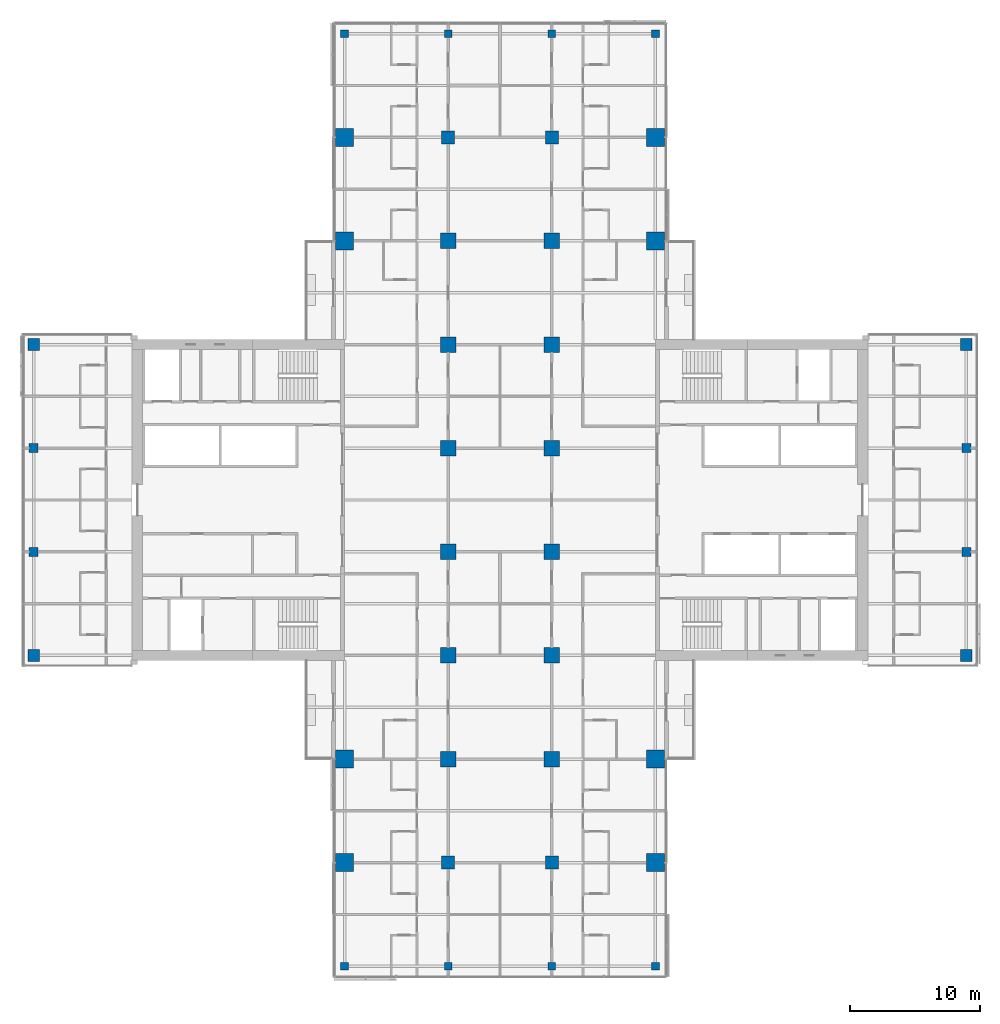
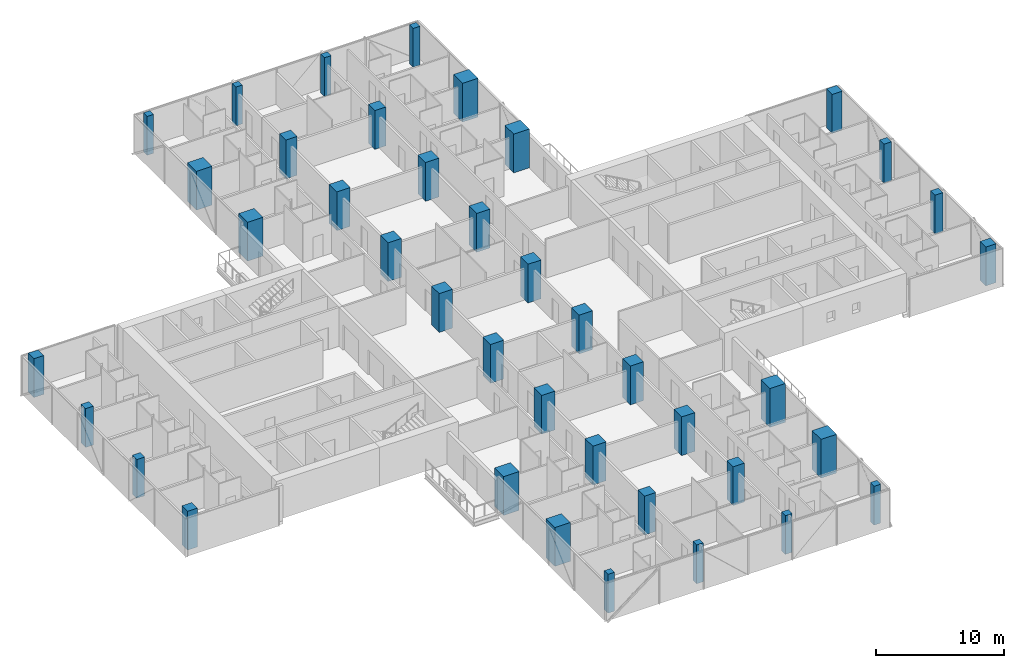
# One storey, part 1 of 29: 40 columns.
"""IFC4 building model written with IfcOpenShell, lengths in metres."""

from ifc_helpers import new_model, si_unit, direction, frame, origin, origin_2d, place, context, subcontext, project, spatial, rectangle, extrude, material, material_profile, profile_set, type_object, element, save


model = new_model("IFC4")

# Units and contexts
model_context = context("Model", 3, precision=1e-05, world=origin(), true_north=direction((0.0, 1.0)))
body_context = subcontext(model_context, "Body", "Model", "MODEL_VIEW")
ifc_project = project(units=[si_unit("LENGTHUNIT", "METRE"), si_unit("AREAUNIT", "SQUARE_METRE"), si_unit("VOLUMEUNIT", "CUBIC_METRE"), si_unit("PLANEANGLEUNIT", "RADIAN"), si_unit("MASSUNIT", "GRAM", prefix="KILO")], contexts=[model_context])

# Site, building, storey
site_placement = place(None, origin())
site = spatial("IfcSite", under=ifc_project, at=site_placement, CompositionType="ELEMENT")
building_placement = place(site_placement, origin())
building = spatial("IfcBuilding", under=site, at=building_placement, Name="Crosswind Convention Tower", CompositionType="ELEMENT")
storey_placement = place(building_placement, frame((0.0, 0.0, 60.89990234375)))
storey = spatial("IfcBuildingStorey", under=building, at=storey_placement, Name="L09", CompositionType="ELEMENT", Elevation=60.89990234375)

# Columns
ifc_material_1 = material(Name="Concrete C70/85", Category="concrete")
ifc_material_profile_1 = material_profile(ifc_material_1, rectangle(XDim=1.0, YDim=1.0, at=origin_2d()), Name="RC 1000X1000")
ifc_profile_set_1 = profile_set([ifc_material_profile_1], Name="Concrete C70/85")
column_type_1 = type_object("IfcColumnType", Name="Column RC 1000X1000", PredefinedType="COLUMN", material=ifc_profile_set_1)
for number, where, z_axis, x_axis, name in (
    (1, (121.0, 72.0, 0.0), (0.0, 0.0, 1.0), (1.0, 0.0, 0.0), "C12 L09 6/C"),
    (2, (121.0, 128.0, 0.0), (0.0, 0.0, 1.0), (1.0, 0.0, 0.0), "C12 L09 6/J"),
    (3, (129.0, 72.0, 0.0), (0.0, 0.0, 1.0), (1.0, 0.0, 0.0), "C12 L09 7/C"),
    (4, (129.0, 128.0, 0.0), (0.0, 0.0, 1.0), (1.0, 0.0, 0.0), "C12 L09 7/J"),
):
    element("IfcColumn", number, at=place(storey_placement, frame(where, z_axis=z_axis, x_axis=x_axis)), inside=storey, type_object=column_type_1, Name=name, PredefinedType="COLUMN", context=body_context, shape_type="SweptSolid", body=[
        extrude(rectangle(XDim=1.0, YDim=1.0, at=origin_2d()), origin(), (0.0, 0.0, 1.0), 3.7001953125),
    ])
ifc_material_profile_2 = material_profile(ifc_material_1, rectangle(XDim=1.199951171875, YDim=1.199951171875, at=origin_2d()), Name="RC 1200X1200")
ifc_profile_set_2 = profile_set([ifc_material_profile_2], Name="Concrete C70/85")
column_type_2 = type_object("IfcColumnType", Name="Column RC 1200X1200", PredefinedType="COLUMN", material=ifc_profile_set_2)
for number, where, z_axis, x_axis, name in (
    (5, (121.0, 80.0, 0.0), (0.0, 0.0, 1.0), (1.0, 0.0, 0.0), "C11 L09 6/D"),
    (6, (121.0, 88.0, 0.0), (0.0, 0.0, 1.0), (1.0, 0.0, 0.0), "C11 L09 6/E"),
    (7, (121.0, 96.0, 0.0), (0.0, 0.0, 1.0), (1.0, 0.0, 0.0), "C11 L09 6/F"),
    (8, (121.0, 104.0, 0.0), (0.0, 0.0, 1.0), (1.0, 0.0, 0.0), "C11 L09 6/G"),
    (9, (121.0, 112.0, 0.0), (0.0, 0.0, 1.0), (1.0, 0.0, 0.0), "C11 L09 6/H"),
    (10, (121.0, 120.0, 0.0), (0.0, 0.0, 1.0), (1.0, 0.0, 0.0), "C11 L09 6/I"),
    (11, (129.0, 80.0, 0.0), (0.0, 0.0, 1.0), (1.0, 0.0, 0.0), "C11 L09 7/D"),
    (12, (129.0, 88.0, 0.0), (0.0, 0.0, 1.0), (1.0, 0.0, 0.0), "C11 L09 7/E"),
    (13, (129.0, 96.0, 0.0), (0.0, 0.0, 1.0), (1.0, 0.0, 0.0), "C11 L09 7/F"),
    (14, (129.0, 104.0, 0.0), (0.0, 0.0, 1.0), (1.0, 0.0, 0.0), "C11 L09 7/G"),
    (15, (129.0, 112.0, 0.0), (0.0, 0.0, 1.0), (1.0, 0.0, 0.0), "C11 L09 7/H"),
    (16, (129.0, 120.0, 0.0), (0.0, 0.0, 1.0), (1.0, 0.0, 0.0), "C11 L09 7/I"),
):
    element("IfcColumn", number, at=place(storey_placement, frame(where, z_axis=z_axis, x_axis=x_axis)), inside=storey, type_object=column_type_2, Name=name, PredefinedType="COLUMN", context=body_context, shape_type="SweptSolid", body=[
        extrude(rectangle(XDim=1.199951171875, YDim=1.199951171875, at=origin_2d()), origin(), (0.0, 0.0, 1.0), 3.7001953125),
    ])
ifc_material_2 = material(Name="Concrete C80/95", Category="concrete")
ifc_material_profile_3 = material_profile(ifc_material_2, rectangle(XDim=1.39990234375, YDim=1.39990234375, at=origin_2d()), Name="RC 1400X1400")
ifc_profile_set_3 = profile_set([ifc_material_profile_3], Name="Concrete C80/95")
column_type_3 = type_object("IfcColumnType", Name="Column RC 1400X1400", PredefinedType="COLUMN", material=ifc_profile_set_3)
for number, where, z_axis, x_axis, name in (
    (17, (113.0, 72.0, 0.0), (0.0, 0.0, 1.0), (1.0, 0.0, 0.0), "C10 L09 5/C"),
    (18, (113.0, 80.0, 0.0), (0.0, 0.0, 1.0), (1.0, 0.0, 0.0), "C10 L09 5/D"),
    (19, (113.0, 120.0, 0.0), (0.0, 0.0, 1.0), (1.0, 0.0, 0.0), "C10 L09 5/I"),
    (20, (113.0, 128.0, 0.0), (0.0, 0.0, 1.0), (1.0, 0.0, 0.0), "C10 L09 5/J"),
    (21, (137.0, 72.0, 0.0), (0.0, 0.0, 1.0), (1.0, 0.0, 0.0), "C10 L09 8/C"),
    (22, (137.0, 80.0, 0.0), (0.0, 0.0, 1.0), (1.0, 0.0, 0.0), "C10 L09 8/D"),
    (23, (137.0, 120.0, 0.0), (0.0, 0.0, 1.0), (1.0, 0.0, 0.0), "C10 L09 8/I"),
    (24, (137.0, 128.0, 0.0), (0.0, 0.0, 1.0), (1.0, 0.0, 0.0), "C10 L09 8/J"),
):
    element("IfcColumn", number, at=place(storey_placement, frame(where, z_axis=z_axis, x_axis=x_axis)), inside=storey, type_object=column_type_3, Name=name, PredefinedType="COLUMN", context=body_context, shape_type="SweptSolid", body=[
        extrude(rectangle(XDim=1.39990234375, YDim=1.39990234375, at=origin_2d()), origin(), (0.0, 0.0, 1.0), 3.7001953125),
    ])
ifc_material_3 = material(Name="Concrete C60/75", Category="concrete")
ifc_material_profile_4 = material_profile(ifc_material_3, rectangle(XDim=0.60009765625, YDim=0.60009765625, at=origin_2d()), Name="RC 600X600")
ifc_profile_set_4 = profile_set([ifc_material_profile_4], Name="Concrete C60/75")
column_type_4 = type_object("IfcColumnType", Name="Column RC 600X600", PredefinedType="COLUMN", material=ifc_profile_set_4)
for number, where, z_axis, x_axis, name in (
    (25, (113.0, 64.0, 0.0), (0.0, 0.0, 1.0), (1.0, 0.0, 0.0), "C16 L09 5/B"),
    (26, (113.0, 136.0, 0.0), (0.0, 0.0, 1.0), (1.0, 0.0, 0.0), "C16 L09 5/K"),
    (27, (121.0, 64.0, 0.0), (0.0, 0.0, 1.0), (1.0, 0.0, 0.0), "C16 L09 6/B"),
    (28, (121.0, 136.0, 0.0), (0.0, 0.0, 1.0), (1.0, 0.0, 0.0), "C16 L09 6/K"),
    (29, (129.0, 64.0, 0.0), (0.0, 0.0, 1.0), (1.0, 0.0, 0.0), "C16 L09 7/B"),
    (30, (129.0, 136.0, 0.0), (0.0, 0.0, 1.0), (1.0, 0.0, 0.0), "C16 L09 7/K"),
    (31, (137.0, 64.0, 0.0), (0.0, 0.0, 1.0), (1.0, 0.0, 0.0), "C16 L09 8/B"),
    (32, (137.0, 136.0, 0.0), (0.0, 0.0, 1.0), (1.0, 0.0, 0.0), "C16 L09 8/K"),
):
    element("IfcColumn", number, at=place(storey_placement, frame(where, z_axis=z_axis, x_axis=x_axis)), inside=storey, type_object=column_type_4, Name=name, PredefinedType="COLUMN", context=body_context, shape_type="SweptSolid", body=[
        extrude(rectangle(XDim=0.60009765625, YDim=0.60009765625, at=origin_2d()), origin(), (0.0, 0.0, 1.0), 3.7001953125),
    ])
ifc_material_profile_5 = material_profile(ifc_material_3, rectangle(XDim=0.699951171875, YDim=0.699951171875, at=origin_2d()), Name="RC 700X700")
ifc_profile_set_5 = profile_set([ifc_material_profile_5], Name="Concrete C60/75")
column_type_5 = type_object("IfcColumnType", Name="Column RC 700X700", PredefinedType="COLUMN", material=ifc_profile_set_5)
for number, where, z_axis, x_axis, name in (
    (33, (89.0, 96.0, 0.0), (0.0, 0.0, 1.0), (1.0, 0.0, 0.0), "C15 L09 2/F"),
    (34, (89.0, 104.0, 0.0), (0.0, 0.0, 1.0), (1.0, 0.0, 0.0), "C15 L09 2/G"),
    (35, (161.0, 96.0, 0.0), (0.0, 0.0, 1.0), (1.0, 0.0, 0.0), "C15 L09 11/F"),
    (36, (161.0, 104.0, 0.0), (0.0, 0.0, 1.0), (1.0, 0.0, 0.0), "C15 L09 11/G"),
):
    element("IfcColumn", number, at=place(storey_placement, frame(where, z_axis=z_axis, x_axis=x_axis)), inside=storey, type_object=column_type_5, Name=name, PredefinedType="COLUMN", context=body_context, shape_type="SweptSolid", body=[
        extrude(rectangle(XDim=0.699951171875, YDim=0.699951171875, at=origin_2d()), origin(), (0.0, 0.0, 1.0), 3.7001953125),
    ])
ifc_material_profile_6 = material_profile(ifc_material_3, rectangle(XDim=0.89990234375, YDim=0.89990234375, at=origin_2d()), Name="RC 900X900")
ifc_profile_set_6 = profile_set([ifc_material_profile_6], Name="Concrete C60/75")
column_type_6 = type_object("IfcColumnType", Name="Column RC 900X900", PredefinedType="COLUMN", material=ifc_profile_set_6)
for number, where, z_axis, x_axis, name in (
    (37, (89.0, 88.0, 0.0), (0.0, 0.0, 1.0), (1.0, 0.0, 0.0), "C13 L09 2/E"),
    (38, (89.0, 112.0, 0.0), (0.0, 0.0, 1.0), (1.0, 0.0, 0.0), "C13 L09 2/H"),
    (39, (161.0, 88.0, 0.0), (0.0, 0.0, 1.0), (1.0, 0.0, 0.0), "C13 L09 11/E"),
    (40, (161.0, 112.0, 0.0), (0.0, 0.0, 1.0), (1.0, 0.0, 0.0), "C13 L09 11/H"),
):
    element("IfcColumn", number, at=place(storey_placement, frame(where, z_axis=z_axis, x_axis=x_axis)), inside=storey, type_object=column_type_6, Name=name, PredefinedType="COLUMN", context=body_context, shape_type="SweptSolid", body=[
        extrude(rectangle(XDim=0.89990234375, YDim=0.89990234375, at=origin_2d()), origin(), (0.0, 0.0, 1.0), 3.7001953125),
    ])

save(model, "model.ifc")
